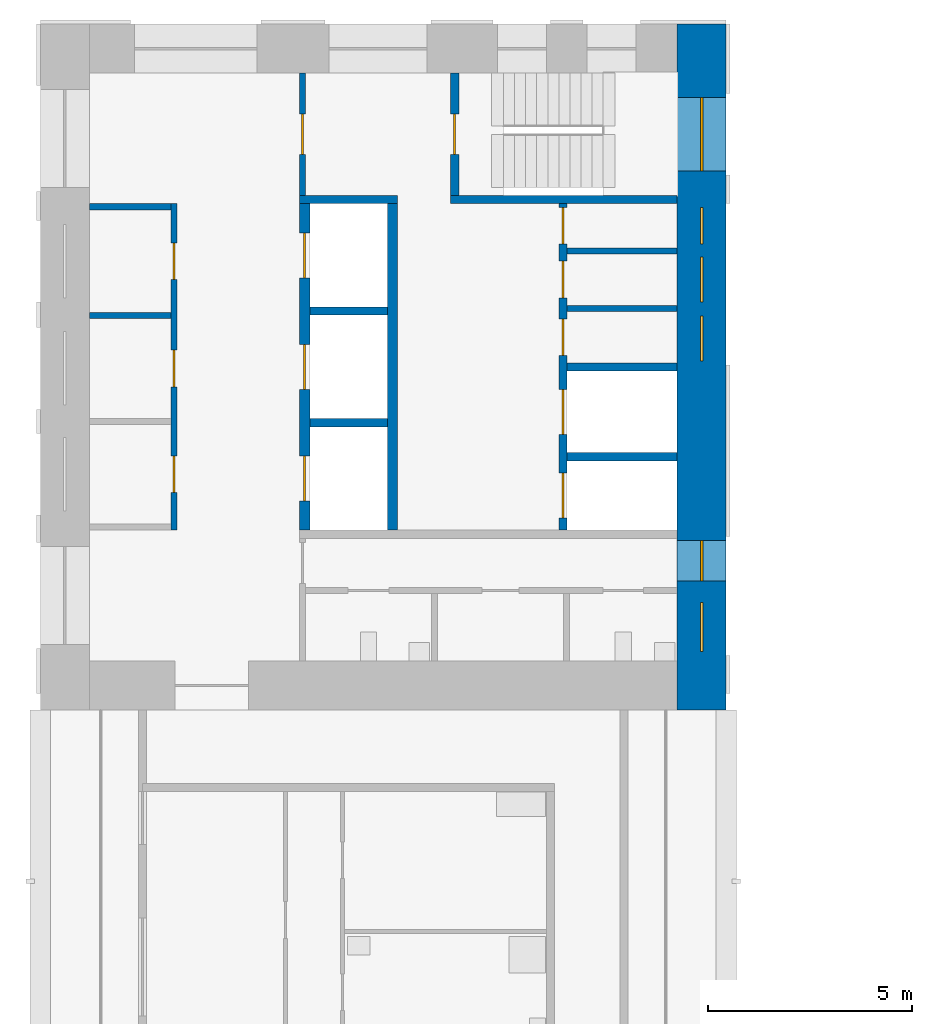
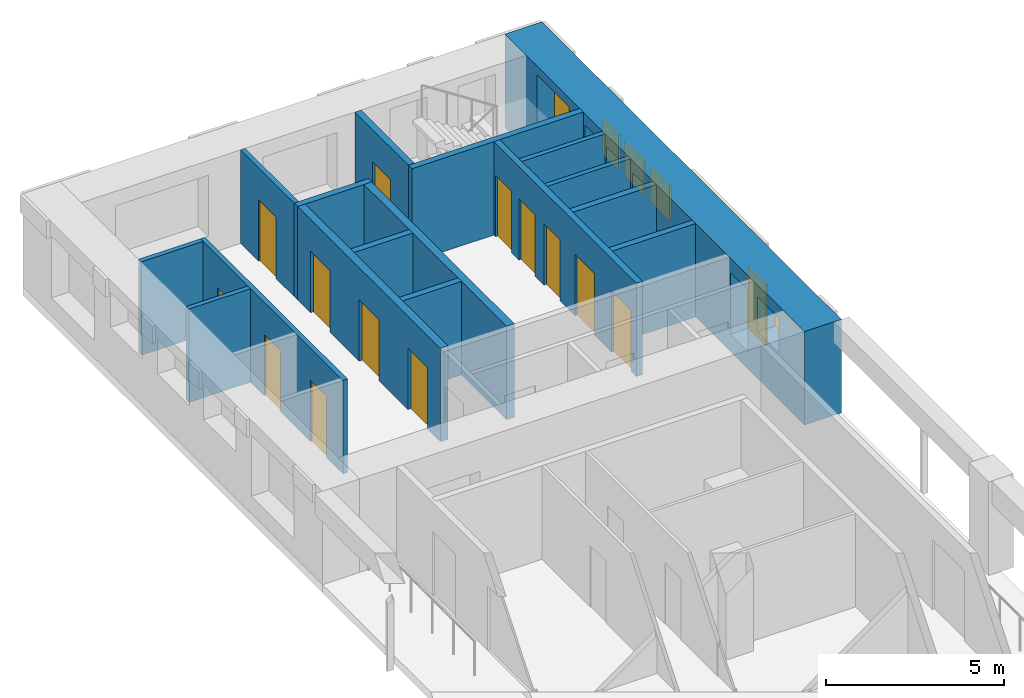
# One storey, part 6 of 10: 17 walls, 13 doors, 6 windows, 19 openings.
"""IFC4 building model written with IfcOpenShell, lengths in metres."""

from ifc_helpers import new_model, si_unit, direction, frame, frame_2d, origin, place, context, subcontext, project, spatial, rectangle, extrude, material, layer, layer_set, type_object, element, fill, save


model = new_model("IFC4")

# Units and contexts
model_context = context("Model", 3, precision=1e-05, world=origin(), true_north=direction((0.0, 1.0)))
body_context = subcontext(model_context, "Body", "Model", "MODEL_VIEW")
ifc_project = project(units=[si_unit("LENGTHUNIT", "METRE"), si_unit("AREAUNIT", "SQUARE_METRE"), si_unit("VOLUMEUNIT", "CUBIC_METRE"), si_unit("PLANEANGLEUNIT", "RADIAN"), si_unit("MASSUNIT", "GRAM", prefix="KILO")], contexts=[model_context])

# Site, building, storey
site_placement = place(None, origin())
site = spatial("IfcSite", under=ifc_project, at=site_placement, CompositionType="ELEMENT")
building_placement = place(site_placement, origin())
building = spatial("IfcBuilding", under=site, at=building_placement, Name="Vermilion Gate Residences", CompositionType="ELEMENT")
storey_placement = place(building_placement, frame((0.0, 0.0, 273.699951171875)))
storey = spatial("IfcBuildingStorey", under=building, at=storey_placement, Name="L72", CompositionType="ELEMENT", Elevation=273.699951171875)

# Walls
ifc_material_1 = material(Name="Masonry blockwork", Category="masonry")
ifc_layer_1 = layer(ifc_material_1, 0.14990234375)
ifc_layer_set_1 = layer_set([ifc_layer_1], Name="BLOCKWORK PARTITION 150 EI 120")
wall_type_1 = type_object("IfcWallType", Name="BLOCKWORK PARTITION 150 EI 120", PredefinedType="PARTITIONING", material=ifc_layer_set_1)
for number, where, z_axis, x_axis, name in (
    (1, (9.60009765625, 54.324951171875, 0.0), (0.0, 0.0, 1.0), (1.0, 0.0, 0.0), "Core room partition B72-RW-W"),
    (2, (9.60009765625, 51.658935546875, 0.0), (0.0, 0.0, 1.0), (1.0, 0.0, 0.0), "Core room partition B72-SR-P0"),
):
    element("IfcWall", number, at=place(storey_placement, frame(where, z_axis=z_axis, x_axis=x_axis)), inside=storey, type_object=wall_type_1, Name=name, PredefinedType="PARTITIONING", context=body_context, shape_type="SweptSolid", body=[
        extrude(rectangle(XDim=2.0, YDim=0.14990234375, at=frame_2d((1.0, 0.0))), origin(), (0.0, 0.0, 1.0), 3.199951171875),
    ])

# Wall, openings, doors
wall_1_placement = place(storey_placement, frame((11.675048828125, 54.39990234375, 0.0), z_axis=(0.0, 0.0, 1.0), x_axis=(0.0, -1.0, 0.0)))
wall_1 = element("IfcWall", 3, at=wall_1_placement, inside=storey, type_object=wall_type_1, Name="Core room partition B72-LR-F", PredefinedType="PARTITIONING", context=body_context, shape_type="SweptSolid", body=[
    extrude(rectangle(XDim=8.0, YDim=0.14990234375, at=frame_2d((4.0, 0.0))), origin(), (0.0, 0.0, 1.0), 3.199951171875),
])
opening_1_placement = place(wall_1_placement, frame((0.9580078125, 0.0, 0.0)))
opening_1 = element("IfcOpeningElement", 4, at=opening_1_placement, cuts=wall_1, Name="Opening DK72102", PredefinedType="OPENING", context=body_context, shape_type="SweptSolid", body=[
    extrude(rectangle(XDim=0.89990234375, YDim=2.10009765625, at=frame_2d((0.449951171875, 1.050048828125))), frame((0.0, 0.0849609375, 0.0), z_axis=(0.0, -1.0, 0.0), x_axis=(1.0, 0.0, 0.0)), (0.0, 0.0, 1.0), 0.169921875),
])
opening_2_placement = place(wall_1_placement, frame((3.5869140625, 0.0, 0.0)))
opening_2 = element("IfcOpeningElement", 5, at=opening_2_placement, cuts=wall_1, Name="Opening DK72103", PredefinedType="OPENING", context=body_context, shape_type="SweptSolid", body=[
    extrude(rectangle(XDim=0.89990234375, YDim=2.10009765625, at=frame_2d((0.449951171875, 1.050048828125))), frame((0.0, 0.0849609375, 0.0), z_axis=(0.0, -1.0, 0.0), x_axis=(1.0, 0.0, 0.0)), (0.0, 0.0, 1.0), 0.169921875),
])
opening_3_placement = place(wall_1_placement, frame((6.178955078125, 0.0, 0.0)))
opening_3 = element("IfcOpeningElement", 6, at=opening_3_placement, cuts=wall_1, Name="Opening DK72104", PredefinedType="OPENING", context=body_context, shape_type="SweptSolid", body=[
    extrude(rectangle(XDim=0.89990234375, YDim=2.10009765625, at=frame_2d((0.449951171875, 1.050048828125))), frame((0.0, 0.0849609375, 0.0), z_axis=(0.0, -1.0, 0.0), x_axis=(1.0, 0.0, 0.0)), (0.0, 0.0, 1.0), 0.169921875),
])
ifc_material_2 = material(Name="Steel", Category="steel")
door_type_1 = type_object("IfcDoorType", Name="SERVICE ROOM DOOR FD60 900 X 2100", OperationType="SINGLE_SWING_LEFT", PredefinedType="DOOR", material=ifc_material_2)
door_1_placement = place(opening_1_placement, frame((0.89990234375, 0.0, 0.0), z_axis=(0.0, 0.0, 1.0), x_axis=(-1.0, 0.0, 0.0)))
door_1 = element("IfcDoor", 7, at=door_1_placement, inside=storey, type_object=door_type_1, Name="Mail room B72", OperationType="SINGLE_SWING_RIGHT", OverallHeight=2.10009765625, OverallWidth=0.89990234375, PredefinedType="DOOR", context=body_context, shape_type="SweptSolid", body=[
    extrude(rectangle(XDim=0.89990234375, YDim=2.10009765625, at=frame_2d((0.449951171875, 1.050048828125))), frame((0.0, 0.02490234375, 0.0), z_axis=(0.0, -1.0, 0.0), x_axis=(1.0, 0.0, 0.0)), (0.0, 0.0, 1.0), 0.050048828125),
])
fill(opening_1, door_1)
door_2_placement = place(opening_2_placement, frame((0.89990234375, 0.0, 0.0), z_axis=(0.0, 0.0, 1.0), x_axis=(-1.0, 0.0, 0.0)))
door_2 = element("IfcDoor", 8, at=door_2_placement, inside=storey, type_object=door_type_1, Name="Cleaner's store B72", OperationType="SINGLE_SWING_LEFT", OverallHeight=2.10009765625, OverallWidth=0.89990234375, PredefinedType="DOOR", context=body_context, shape_type="SweptSolid", body=[
    extrude(rectangle(XDim=0.89990234375, YDim=2.10009765625, at=frame_2d((0.449951171875, 1.050048828125))), frame((0.0, 0.02490234375, 0.0), z_axis=(0.0, -1.0, 0.0), x_axis=(1.0, 0.0, 0.0)), (0.0, 0.0, 1.0), 0.050048828125),
])
fill(opening_2, door_2)
door_3_placement = place(opening_3_placement, origin())
door_3 = element("IfcDoor", 9, at=door_3_placement, inside=storey, type_object=door_type_1, Name="Electrical room B72", OperationType="SINGLE_SWING_LEFT", OverallHeight=2.10009765625, OverallWidth=0.89990234375, PredefinedType="DOOR", context=body_context, shape_type="SweptSolid", body=[
    extrude(rectangle(XDim=0.89990234375, YDim=2.10009765625, at=frame_2d((0.449951171875, 1.050048828125))), frame((0.0, 0.02490234375, 0.0), z_axis=(0.0, -1.0, 0.0), x_axis=(1.0, 0.0, 0.0)), (0.0, 0.0, 1.0), 0.050048828125),
])
fill(opening_3, door_3)

# Walls
for number, where, z_axis, x_axis, name in (
    (10, (21.300048828125, 53.2451171875, 0.0), (0.0, 0.0, 1.0), (1.0, 0.0, 0.0), "Core room partition B72-NR-P0"),
    (11, (21.300048828125, 51.8349609375, 0.0), (0.0, 0.0, 1.0), (1.0, 0.0, 0.0), "Core room partition B72-NR-P1"),
):
    element("IfcWall", number, at=place(storey_placement, frame(where, z_axis=z_axis, x_axis=x_axis)), inside=storey, type_object=wall_type_1, Name=name, PredefinedType="PARTITIONING", context=body_context, shape_type="SweptSolid", body=[
        extrude(rectangle(XDim=2.699951171875, YDim=0.14990234375, at=frame_2d((1.35009765625, 0.0))), origin(), (0.0, 0.0, 1.0), 3.199951171875),
    ])

# Wall, opening, door
wall_2_placement = place(storey_placement, frame((14.824951171875, 57.60009765625, 0.0), z_axis=(0.0, 0.0, 1.0), x_axis=(0.0, -1.0, 0.0)))
wall_2 = element("IfcWall", 12, at=wall_2_placement, inside=storey, type_object=wall_type_1, Name="Core room partition B72-VW-S", PredefinedType="PARTITIONING", context=body_context, shape_type="SweptSolid", body=[
    extrude(rectangle(XDim=3.0, YDim=0.14990234375, at=frame_2d((1.5, 0.0))), origin(), (0.0, 0.0, 1.0), 3.199951171875),
])
opening_4_placement = place(wall_2_placement, frame((1.0, 0.0, 0.0)))
opening_4 = element("IfcOpeningElement", 13, at=opening_4_placement, cuts=wall_2, Name="Opening DK72113", PredefinedType="OPENING", context=body_context, shape_type="SweptSolid", body=[
    extrude(rectangle(XDim=1.0, YDim=2.10009765625, at=frame_2d((0.5, 1.050048828125))), frame((0.0, 0.0849609375, 0.0), z_axis=(0.0, -1.0, 0.0), x_axis=(1.0, 0.0, 0.0)), (0.0, 0.0, 1.0), 0.169921875),
])
ifc_material_3 = material(Name="Steel", Category="steel")
door_type_2 = type_object("IfcDoorType", Name="FIRE DOOR FD60 1000 X 2100", OperationType="SINGLE_SWING_LEFT", PredefinedType="DOOR", material=ifc_material_3)
door_4_placement = place(opening_4_placement, frame((1.0, 0.0, 0.0), z_axis=(0.0, 0.0, 1.0), x_axis=(-1.0, 0.0, 0.0)))
door_4 = element("IfcDoor", 14, at=door_4_placement, inside=storey, type_object=door_type_2, Name="Stair vestibule door B72", OperationType="SINGLE_SWING_RIGHT", OverallHeight=2.10009765625, OverallWidth=1.0, PredefinedType="DOOR", context=body_context, shape_type="SweptSolid", body=[
    extrude(rectangle(XDim=1.0, YDim=2.10009765625, at=frame_2d((0.5, 1.050048828125))), frame((0.0, 0.02490234375, 0.0), z_axis=(0.0, -1.0, 0.0), x_axis=(1.0, 0.0, 0.0)), (0.0, 0.0, 1.0), 0.050048828125),
])
fill(opening_4, door_4)

# Walls
ifc_material_4 = material(Name="Concrete C60", Category="concrete")
ifc_layer_2 = layer(ifc_material_4, 0.199951171875)
ifc_layer_set_2 = layer_set([ifc_layer_2], Name="RC CORE INTERNAL WALL 200 C60")
wall_type_2 = type_object("IfcWallType", Name="RC CORE INTERNAL WALL 200 C60", PredefinedType="SHEAR", material=ifc_layer_set_2)
for number, where, z_axis, x_axis, name in (
    (15, (15.0, 51.7666015625, 0.0), (0.0, 0.0, 1.0), (1.0, 0.0, 0.0), "Core internal wall B72-HR-D1"),
    (16, (15.0, 49.033447265625, 0.0), (0.0, 0.0, 1.0), (1.0, 0.0, 0.0), "Core internal wall B72-HR-D2"),
):
    element("IfcWall", number, at=place(storey_placement, frame(where, z_axis=z_axis, x_axis=x_axis)), inside=storey, type_object=wall_type_2, Name=name, PredefinedType="SHEAR", context=body_context, shape_type="SweptSolid", body=[
        extrude(rectangle(XDim=1.89990234375, YDim=0.199951171875, at=frame_2d((0.949951171875, 0.0))), origin(), (0.0, 0.0, 1.0), 3.199951171875),
    ])
for number, where, z_axis, x_axis, name in (
    (17, (21.300048828125, 50.39990234375, 0.0), (0.0, 0.0, 1.0), (1.0, 0.0, 0.0), "Core internal wall B72-FF-D0"),
    (18, (21.300048828125, 48.199951171875, 0.0), (0.0, 0.0, 1.0), (1.0, 0.0, 0.0), "Core internal wall B72-FF-D1"),
):
    element("IfcWall", number, at=place(storey_placement, frame(where, z_axis=z_axis, x_axis=x_axis)), inside=storey, type_object=wall_type_2, Name=name, PredefinedType="SHEAR", context=body_context, shape_type="SweptSolid", body=[
        extrude(rectangle(XDim=2.699951171875, YDim=0.199951171875, at=frame_2d((1.35009765625, 0.0))), origin(), (0.0, 0.0, 1.0), 3.199951171875),
    ])

# Wall, openings, doors
wall_3_placement = place(storey_placement, frame((21.199951171875, 54.39990234375, 0.0), z_axis=(0.0, 0.0, 1.0), x_axis=(0.0, -1.0, 0.0)))
wall_3 = element("IfcWall", 19, at=wall_3_placement, inside=storey, type_object=wall_type_2, Name="Core internal wall B72-FF-F", PredefinedType="SHEAR", context=body_context, shape_type="SweptSolid", body=[
    extrude(rectangle(XDim=8.0, YDim=0.199951171875, at=frame_2d((4.0, 0.0))), origin(), (0.0, 0.0, 1.0), 3.199951171875),
])
opening_5_placement = place(wall_3_placement, frame((0.090087890625, 0.0, 0.0)))
opening_5 = element("IfcOpeningElement", 20, at=opening_5_placement, cuts=wall_3, Name="Opening DK72108", PredefinedType="OPENING", context=body_context, shape_type="SweptSolid", body=[
    extrude(rectangle(XDim=0.89990234375, YDim=2.10009765625, at=frame_2d((0.449951171875, 1.050048828125))), frame((0.0, 0.10986328125, 0.0), z_axis=(0.0, -1.0, 0.0), x_axis=(1.0, 0.0, 0.0)), (0.0, 0.0, 1.0), 0.219970703125),
])
opening_6_placement = place(wall_3_placement, frame((1.409912109375, 0.0, 0.0)))
opening_6 = element("IfcOpeningElement", 21, at=opening_6_placement, cuts=wall_3, Name="Opening DK72109", PredefinedType="OPENING", context=body_context, shape_type="SweptSolid", body=[
    extrude(rectangle(XDim=0.89990234375, YDim=2.10009765625, at=frame_2d((0.449951171875, 1.050048828125))), frame((0.0, 0.10986328125, 0.0), z_axis=(0.0, -1.0, 0.0), x_axis=(1.0, 0.0, 0.0)), (0.0, 0.0, 1.0), 0.219970703125),
])
opening_7_placement = place(wall_3_placement, frame((2.820068359375, 0.0, 0.0)))
opening_7 = element("IfcOpeningElement", 22, at=opening_7_placement, cuts=wall_3, Name="Opening DK72110", PredefinedType="OPENING", context=body_context, shape_type="SweptSolid", body=[
    extrude(rectangle(XDim=0.89990234375, YDim=2.10009765625, at=frame_2d((0.449951171875, 1.050048828125))), frame((0.0, 0.10986328125, 0.0), z_axis=(0.0, -1.0, 0.0), x_axis=(1.0, 0.0, 0.0)), (0.0, 0.0, 1.0), 0.219970703125),
])
opening_8_placement = place(wall_3_placement, frame((4.550048828125, 0.0, 0.0)))
opening_8 = element("IfcOpeningElement", 23, at=opening_8_placement, cuts=wall_3, Name="Opening LD", PredefinedType="OPENING", context=body_context, shape_type="SweptSolid", body=[
    extrude(rectangle(XDim=1.10009765625, YDim=2.10009765625, at=frame_2d((0.550048828125, 1.050048828125))), frame((0.0, 0.10986328125, 0.0), z_axis=(0.0, -1.0, 0.0), x_axis=(1.0, 0.0, 0.0)), (0.0, 0.0, 1.0), 0.219970703125),
])
opening_9_placement = place(wall_3_placement, frame((6.60009765625, 0.0, 0.0)))
opening_9 = element("IfcOpeningElement", 24, at=opening_9_placement, cuts=wall_3, Name="Opening LD", PredefinedType="OPENING", context=body_context, shape_type="SweptSolid", body=[
    extrude(rectangle(XDim=1.10009765625, YDim=2.10009765625, at=frame_2d((0.550048828125, 1.050048828125))), frame((0.0, 0.10986328125, 0.0), z_axis=(0.0, -1.0, 0.0), x_axis=(1.0, 0.0, 0.0)), (0.0, 0.0, 1.0), 0.219970703125),
])
ifc_material_5 = material(Name="Stainless steel", Category="steel")
door_type_3 = type_object("IfcDoorType", Name="LIFT LANDING DOOR E60 1100 X 2100", OperationType="DOUBLE_DOOR_SLIDING", PredefinedType="DOOR", material=ifc_material_5)
door_5_placement = place(opening_8_placement, origin())
door_5 = element("IfcDoor", 25, at=door_5_placement, inside=storey, type_object=door_type_3, Name="Lift landing door LFB1", OperationType="DOUBLE_DOOR_SLIDING", OverallHeight=2.10009765625, OverallWidth=1.10009765625, PredefinedType="DOOR", context=body_context, shape_type="SweptSolid", body=[
    extrude(rectangle(XDim=1.10009765625, YDim=2.10009765625, at=frame_2d((0.550048828125, 1.050048828125))), frame((0.0, 0.02490234375, 0.0), z_axis=(0.0, -1.0, 0.0), x_axis=(1.0, 0.0, 0.0)), (0.0, 0.0, 1.0), 0.050048828125),
])
fill(opening_8, door_5)
door_6_placement = place(opening_9_placement, origin())
door_6 = element("IfcDoor", 26, at=door_6_placement, inside=storey, type_object=door_type_3, Name="Lift landing door LCB1", OperationType="DOUBLE_DOOR_SLIDING", OverallHeight=2.10009765625, OverallWidth=1.10009765625, PredefinedType="DOOR", context=body_context, shape_type="SweptSolid", body=[
    extrude(rectangle(XDim=1.10009765625, YDim=2.10009765625, at=frame_2d((0.550048828125, 1.050048828125))), frame((0.0, 0.02490234375, 0.0), z_axis=(0.0, -1.0, 0.0), x_axis=(1.0, 0.0, 0.0)), (0.0, 0.0, 1.0), 0.050048828125),
])
fill(opening_9, door_6)
door_7_placement = place(opening_5_placement, origin())
door_7 = element("IfcDoor", 27, at=door_7_placement, inside=storey, type_object=door_type_1, Name="Housekeeping store B72", OperationType="SINGLE_SWING_RIGHT", OverallHeight=2.10009765625, OverallWidth=0.89990234375, PredefinedType="DOOR", context=body_context, shape_type="SweptSolid", body=[
    extrude(rectangle(XDim=0.89990234375, YDim=2.10009765625, at=frame_2d((0.449951171875, 1.050048828125))), frame((0.0, 0.02490234375, 0.0), z_axis=(0.0, -1.0, 0.0), x_axis=(1.0, 0.0, 0.0)), (0.0, 0.0, 1.0), 0.050048828125),
])
fill(opening_5, door_7)
door_8_placement = place(opening_6_placement, origin())
door_8 = element("IfcDoor", 28, at=door_8_placement, inside=storey, type_object=door_type_1, Name="Mail room B72", OperationType="SINGLE_SWING_LEFT", OverallHeight=2.10009765625, OverallWidth=0.89990234375, PredefinedType="DOOR", context=body_context, shape_type="SweptSolid", body=[
    extrude(rectangle(XDim=0.89990234375, YDim=2.10009765625, at=frame_2d((0.449951171875, 1.050048828125))), frame((0.0, 0.02490234375, 0.0), z_axis=(0.0, -1.0, 0.0), x_axis=(1.0, 0.0, 0.0)), (0.0, 0.0, 1.0), 0.050048828125),
])
fill(opening_6, door_8)
door_9_placement = place(opening_7_placement, origin())
door_9 = element("IfcDoor", 29, at=door_9_placement, inside=storey, type_object=door_type_1, Name="Electrical riser B72", OperationType="SINGLE_SWING_LEFT", OverallHeight=2.10009765625, OverallWidth=0.89990234375, PredefinedType="DOOR", context=body_context, shape_type="SweptSolid", body=[
    extrude(rectangle(XDim=0.89990234375, YDim=2.10009765625, at=frame_2d((0.449951171875, 1.050048828125))), frame((0.0, 0.02490234375, 0.0), z_axis=(0.0, -1.0, 0.0), x_axis=(1.0, 0.0, 0.0)), (0.0, 0.0, 1.0), 0.050048828125),
])
fill(opening_7, door_9)

# Walls
wall_4_placement = place(storey_placement, frame((14.75, 54.5, 0.0), z_axis=(0.0, 0.0, 1.0), x_axis=(1.0, 0.0, 0.0)))
element("IfcWall", 30, at=wall_4_placement, inside=storey, type_object=wall_type_2, Name="Core internal wall B72-WDIV1", PredefinedType="SHEAR", context=body_context, shape_type="SweptSolid", body=[
    extrude(rectangle(XDim=2.39990234375, YDim=0.199951171875, at=frame_2d((1.199951171875, 0.0))), origin(), (0.0, 0.0, 1.0), 3.199951171875),
])
wall_5_placement = place(storey_placement, frame((18.449951171875, 54.5, 0.0), z_axis=(0.0, 0.0, 1.0), x_axis=(1.0, 0.0, 0.0)))
element("IfcWall", 31, at=wall_5_placement, inside=storey, type_object=wall_type_2, Name="Core internal wall B72-WDIV2", PredefinedType="SHEAR", context=body_context, shape_type="SweptSolid", body=[
    extrude(rectangle(XDim=5.550048828125, YDim=0.199951171875, at=frame_2d((2.77490234375, 0.0))), origin(), (0.0, 0.0, 1.0), 3.199951171875),
])

# Wall, opening, door
wall_6_placement = place(storey_placement, frame((18.550048828125, 57.60009765625, 0.0), z_axis=(0.0, 0.0, 1.0), x_axis=(0.0, -1.0, 0.0)))
wall_6 = element("IfcWall", 32, at=wall_6_placement, inside=storey, type_object=wall_type_2, Name="Core internal wall B72-STW-S", PredefinedType="SHEAR", context=body_context, shape_type="SweptSolid", body=[
    extrude(rectangle(XDim=3.0, YDim=0.199951171875, at=frame_2d((1.5, 0.0))), origin(), (0.0, 0.0, 1.0), 3.199951171875),
])
opening_10_placement = place(wall_6_placement, frame((1.0, 0.0, 0.0)))
opening_10 = element("IfcOpeningElement", 33, at=opening_10_placement, cuts=wall_6, Name="Opening DK72114", PredefinedType="OPENING", context=body_context, shape_type="SweptSolid", body=[
    extrude(rectangle(XDim=1.0, YDim=2.10009765625, at=frame_2d((0.5, 1.050048828125))), frame((0.0, 0.10986328125, 0.0), z_axis=(0.0, -1.0, 0.0), x_axis=(1.0, 0.0, 0.0)), (0.0, 0.0, 1.0), 0.219970703125),
])
door_10_placement = place(opening_10_placement, origin())
door_10 = element("IfcDoor", 34, at=door_10_placement, inside=storey, type_object=door_type_2, Name="Stair door B72", OperationType="SINGLE_SWING_LEFT", OverallHeight=2.10009765625, OverallWidth=1.0, PredefinedType="DOOR", context=body_context, shape_type="SweptSolid", body=[
    extrude(rectangle(XDim=1.0, YDim=2.10009765625, at=frame_2d((0.5, 1.050048828125))), frame((0.0, 0.02490234375, 0.0), z_axis=(0.0, -1.0, 0.0), x_axis=(1.0, 0.0, 0.0)), (0.0, 0.0, 1.0), 0.050048828125),
])
fill(opening_10, door_10)

# Wall, openings, windows
ifc_material_6 = material(Name="Concrete C50 red-oxide pigmented", Category="concrete")
ifc_layer_3 = layer(ifc_material_6, 1.199951171875)
ifc_layer_set_3 = layer_set([ifc_layer_3], Name="RC CORE WALL 1200 C50 RED OXIDE")
wall_type_3 = type_object("IfcWallType", Name="RC CORE WALL 1200 C50 RED OXIDE", PredefinedType="SHEAR", material=ifc_layer_set_3)
wall_7_placement = place(storey_placement, frame((24.60009765625, 58.800048828125, 0.0), z_axis=(0.0, 0.0, 1.0), x_axis=(0.0, -1.0, 0.0)))
wall_7 = element("IfcWall", 35, at=wall_7_placement, inside=storey, type_object=wall_type_3, Name="Core wall B72-OUT-B1", PredefinedType="SHEAR", context=body_context, shape_type="SweptSolid", body=[
    extrude(rectangle(XDim=16.800048828125, YDim=1.199951171875, at=frame_2d((8.39990234375, 0.0))), origin(), (0.0, 0.0, 1.0), 3.199951171875),
])
opening_11_placement = place(wall_7_placement, frame((1.800048828125, 0.0, 0.5)))
opening_11 = element("IfcOpeningElement", 36, at=opening_11_placement, cuts=wall_7, Name="Opening WKB7206", PredefinedType="OPENING", context=body_context, shape_type="SweptSolid", body=[
    extrude(rectangle(XDim=1.800048828125, YDim=2.39990234375, at=frame_2d((0.89990234375, 1.199951171875))), frame((0.0, 0.60986328125, 0.0), z_axis=(0.0, -1.0, 0.0), x_axis=(1.0, 0.0, 0.0)), (0.0, 0.0, 1.0), 1.219970703125),
])
opening_12_placement = place(wall_7_placement, frame((4.489990234375, 0.0, 1.60009765625)))
opening_12 = element("IfcOpeningElement", 37, at=opening_12_placement, cuts=wall_7, Name="Opening WKB7207", PredefinedType="OPENING", context=body_context, shape_type="SweptSolid", body=[
    extrude(rectangle(XDim=0.89990234375, YDim=1.199951171875, at=frame_2d((0.449951171875, 0.60009765625))), frame((0.0, 0.60986328125, 0.0), z_axis=(0.0, -1.0, 0.0), x_axis=(1.0, 0.0, 0.0)), (0.0, 0.0, 1.0), 1.219970703125),
])
opening_13_placement = place(wall_7_placement, frame((5.7099609375, 0.0, 1.60009765625)))
opening_13 = element("IfcOpeningElement", 38, at=opening_13_placement, cuts=wall_7, Name="Opening WKB7208", PredefinedType="OPENING", context=body_context, shape_type="SweptSolid", body=[
    extrude(rectangle(XDim=1.10009765625, YDim=1.199951171875, at=frame_2d((0.550048828125, 0.60009765625))), frame((0.0, 0.60986328125, 0.0), z_axis=(0.0, -1.0, 0.0), x_axis=(1.0, 0.0, 0.0)), (0.0, 0.0, 1.0), 1.219970703125),
])
opening_14_placement = place(wall_7_placement, frame((7.14990234375, 0.0, 1.60009765625)))
opening_14 = element("IfcOpeningElement", 39, at=opening_14_placement, cuts=wall_7, Name="Opening WKB7209", PredefinedType="OPENING", context=body_context, shape_type="SweptSolid", body=[
    extrude(rectangle(XDim=1.10009765625, YDim=1.199951171875, at=frame_2d((0.550048828125, 0.60009765625))), frame((0.0, 0.60986328125, 0.0), z_axis=(0.0, -1.0, 0.0), x_axis=(1.0, 0.0, 0.0)), (0.0, 0.0, 1.0), 1.219970703125),
])
opening_15_placement = place(wall_7_placement, frame((12.64990234375, 0.0, 0.60009765625)))
opening_15 = element("IfcOpeningElement", 40, at=opening_15_placement, cuts=wall_7, Name="Opening WKB7210", PredefinedType="OPENING", context=body_context, shape_type="SweptSolid", body=[
    extrude(rectangle(XDim=1.0, YDim=2.10009765625, at=frame_2d((0.5, 1.050048828125))), frame((0.0, 0.60986328125, 0.0), z_axis=(0.0, -1.0, 0.0), x_axis=(1.0, 0.0, 0.0)), (0.0, 0.0, 1.0), 1.219970703125),
])
opening_16_placement = place(wall_7_placement, frame((14.175048828125, 0.0, 1.60009765625)))
opening_16 = element("IfcOpeningElement", 41, at=opening_16_placement, cuts=wall_7, Name="Opening WKB7211", PredefinedType="OPENING", context=body_context, shape_type="SweptSolid", body=[
    extrude(rectangle(XDim=1.199951171875, YDim=1.199951171875, at=frame_2d((0.60009765625, 0.60009765625))), frame((0.0, 0.60986328125, 0.0), z_axis=(0.0, -1.0, 0.0), x_axis=(1.0, 0.0, 0.0)), (0.0, 0.0, 1.0), 1.219970703125),
])
ifc_material_7 = material(Name="Aluminium and clear glass", Category="aluminium")
window_type_1 = type_object("IfcWindowType", Name="CORE CORRIDOR WINDOW 1000 X 2100", PartitioningType="SINGLE_PANEL", PredefinedType="WINDOW", material=ifc_material_7)
window_1_placement = place(opening_15_placement, origin())
window_1 = element("IfcWindow", 42, at=window_1_placement, inside=storey, type_object=window_type_1, Name="Core corridor window", OverallHeight=2.10009765625, OverallWidth=1.0, PartitioningType="SINGLE_PANEL", PredefinedType="WINDOW", context=body_context, shape_type="SweptSolid", body=[
    extrude(rectangle(XDim=1.0, YDim=2.10009765625, at=frame_2d((0.5, 1.050048828125))), frame((0.0, 0.030029296875, 0.0), z_axis=(0.0, -1.0, 0.0), x_axis=(1.0, 0.0, 0.0)), (0.0, 0.0, 1.0), 0.06005859375),
])
fill(opening_15, window_1)
ifc_material_8 = material(Name="Aluminium frame with louvre blades", Category="aluminium")
window_type_2 = type_object("IfcWindowType", Name="CORE LOUVRE 1100 X 1200", PartitioningType="SINGLE_PANEL", PredefinedType="WINDOW", material=ifc_material_8)
window_2_placement = place(opening_13_placement, origin())
window_2 = element("IfcWindow", 43, at=window_2_placement, inside=storey, type_object=window_type_2, Name="Core louvre", OverallHeight=1.199951171875, OverallWidth=1.10009765625, PartitioningType="SINGLE_PANEL", PredefinedType="WINDOW", context=body_context, shape_type="SweptSolid", body=[
    extrude(rectangle(XDim=1.10009765625, YDim=1.199951171875, at=frame_2d((0.550048828125, 0.60009765625))), frame((0.0, 0.030029296875, 0.0), z_axis=(0.0, -1.0, 0.0), x_axis=(1.0, 0.0, 0.0)), (0.0, 0.0, 1.0), 0.06005859375),
])
fill(opening_13, window_2)
window_3_placement = place(opening_14_placement, origin())
window_3 = element("IfcWindow", 44, at=window_3_placement, inside=storey, type_object=window_type_2, Name="Core louvre", OverallHeight=1.199951171875, OverallWidth=1.10009765625, PartitioningType="SINGLE_PANEL", PredefinedType="WINDOW", context=body_context, shape_type="SweptSolid", body=[
    extrude(rectangle(XDim=1.10009765625, YDim=1.199951171875, at=frame_2d((0.550048828125, 0.60009765625))), frame((0.0, 0.030029296875, 0.0), z_axis=(0.0, -1.0, 0.0), x_axis=(1.0, 0.0, 0.0)), (0.0, 0.0, 1.0), 0.06005859375),
])
fill(opening_14, window_3)
ifc_material_9 = material(Name="Aluminium frame with louvre blades", Category="aluminium")
window_type_3 = type_object("IfcWindowType", Name="CORE LOUVRE 1200 X 1200", PartitioningType="SINGLE_PANEL", PredefinedType="WINDOW", material=ifc_material_9)
window_4_placement = place(opening_16_placement, origin())
window_4 = element("IfcWindow", 45, at=window_4_placement, inside=storey, type_object=window_type_3, Name="Core louvre", OverallHeight=1.199951171875, OverallWidth=1.199951171875, PartitioningType="SINGLE_PANEL", PredefinedType="WINDOW", context=body_context, shape_type="SweptSolid", body=[
    extrude(rectangle(XDim=1.199951171875, YDim=1.199951171875, at=frame_2d((0.60009765625, 0.60009765625))), frame((0.0, 0.030029296875, 0.0), z_axis=(0.0, -1.0, 0.0), x_axis=(1.0, 0.0, 0.0)), (0.0, 0.0, 1.0), 0.06005859375),
])
fill(opening_16, window_4)
ifc_material_10 = material(Name="Aluminium frame with louvre blades", Category="aluminium")
window_type_4 = type_object("IfcWindowType", Name="CORE LOUVRE 900 X 1200", PartitioningType="SINGLE_PANEL", PredefinedType="WINDOW", material=ifc_material_10)
window_5_placement = place(opening_12_placement, origin())
window_5 = element("IfcWindow", 46, at=window_5_placement, inside=storey, type_object=window_type_4, Name="Core louvre", OverallHeight=1.199951171875, OverallWidth=0.89990234375, PartitioningType="SINGLE_PANEL", PredefinedType="WINDOW", context=body_context, shape_type="SweptSolid", body=[
    extrude(rectangle(XDim=0.89990234375, YDim=1.199951171875, at=frame_2d((0.449951171875, 0.60009765625))), frame((0.0, 0.030029296875, 0.0), z_axis=(0.0, -1.0, 0.0), x_axis=(1.0, 0.0, 0.0)), (0.0, 0.0, 1.0), 0.06005859375),
])
fill(opening_12, window_5)
ifc_material_11 = material(Name="Aluminium and clear glass", Category="aluminium")
window_type_5 = type_object("IfcWindowType", Name="CORE STAIR WINDOW 1800 X 2400", PartitioningType="SINGLE_PANEL", PredefinedType="WINDOW", material=ifc_material_11)
window_6_placement = place(opening_11_placement, origin())
window_6 = element("IfcWindow", 47, at=window_6_placement, inside=storey, type_object=window_type_5, Name="Core stair window", OverallHeight=2.39990234375, OverallWidth=1.800048828125, PartitioningType="SINGLE_PANEL", PredefinedType="WINDOW", context=body_context, shape_type="SweptSolid", body=[
    extrude(rectangle(XDim=1.800048828125, YDim=2.39990234375, at=frame_2d((0.89990234375, 1.199951171875))), frame((0.0, 0.030029296875, 0.0), z_axis=(0.0, -1.0, 0.0), x_axis=(1.0, 0.0, 0.0)), (0.0, 0.0, 1.0), 0.06005859375),
])
fill(opening_11, window_6)

# Wall, openings, doors
ifc_material_12 = material(Name="Concrete C60", Category="concrete")
ifc_layer_4 = layer(ifc_material_12, 0.25)
ifc_layer_set_4 = layer_set([ifc_layer_4], Name="RC LIFT SHAFT WALL 250 C60")
wall_type_4 = type_object("IfcWallType", Name="RC LIFT SHAFT WALL 250 C60", PredefinedType="SHEAR", material=ifc_layer_set_4)
wall_8_placement = place(storey_placement, frame((14.875, 54.39990234375, 0.0), z_axis=(0.0, 0.0, 1.0), x_axis=(0.0, -1.0, 0.0)))
wall_8 = element("IfcWall", 48, at=wall_8_placement, inside=storey, type_object=wall_type_4, Name="Lift shaft wall B72-HR-F", PredefinedType="SHEAR", context=body_context, shape_type="SweptSolid", body=[
    extrude(rectangle(XDim=8.0, YDim=0.25, at=frame_2d((4.0, 0.0))), origin(), (0.0, 0.0, 1.0), 3.199951171875),
])
opening_17_placement = place(wall_8_placement, frame((0.716552734375, 0.0, 0.0)))
opening_17 = element("IfcOpeningElement", 49, at=opening_17_placement, cuts=wall_8, Name="Opening LD", PredefinedType="OPENING", context=body_context, shape_type="SweptSolid", body=[
    extrude(rectangle(XDim=1.10009765625, YDim=2.10009765625, at=frame_2d((0.550048828125, 1.050048828125))), frame((0.0, 0.135009765625, 0.0), z_axis=(0.0, -1.0, 0.0), x_axis=(1.0, 0.0, 0.0)), (0.0, 0.0, 1.0), 0.27001953125),
])
opening_18_placement = place(wall_8_placement, frame((3.449951171875, 0.0, 0.0)))
opening_18 = element("IfcOpeningElement", 50, at=opening_18_placement, cuts=wall_8, Name="Opening LD", PredefinedType="OPENING", context=body_context, shape_type="SweptSolid", body=[
    extrude(rectangle(XDim=1.10009765625, YDim=2.10009765625, at=frame_2d((0.550048828125, 1.050048828125))), frame((0.0, 0.135009765625, 0.0), z_axis=(0.0, -1.0, 0.0), x_axis=(1.0, 0.0, 0.0)), (0.0, 0.0, 1.0), 0.27001953125),
])
opening_19_placement = place(wall_8_placement, frame((6.183349609375, 0.0, 0.0)))
opening_19 = element("IfcOpeningElement", 51, at=opening_19_placement, cuts=wall_8, Name="Opening LD", PredefinedType="OPENING", context=body_context, shape_type="SweptSolid", body=[
    extrude(rectangle(XDim=1.10009765625, YDim=2.10009765625, at=frame_2d((0.550048828125, 1.050048828125))), frame((0.0, 0.135009765625, 0.0), z_axis=(0.0, -1.0, 0.0), x_axis=(1.0, 0.0, 0.0)), (0.0, 0.0, 1.0), 0.27001953125),
])
door_11_placement = place(opening_17_placement, origin())
door_11 = element("IfcDoor", 52, at=door_11_placement, inside=storey, type_object=door_type_3, Name="Lift landing door HRB1", OperationType="DOUBLE_DOOR_SLIDING", OverallHeight=2.10009765625, OverallWidth=1.10009765625, PredefinedType="DOOR", context=body_context, shape_type="SweptSolid", body=[
    extrude(rectangle(XDim=1.10009765625, YDim=2.10009765625, at=frame_2d((0.550048828125, 1.050048828125))), frame((0.0, 0.02490234375, 0.0), z_axis=(0.0, -1.0, 0.0), x_axis=(1.0, 0.0, 0.0)), (0.0, 0.0, 1.0), 0.050048828125),
])
fill(opening_17, door_11)
door_12_placement = place(opening_18_placement, origin())
door_12 = element("IfcDoor", 53, at=door_12_placement, inside=storey, type_object=door_type_3, Name="Lift landing door HRB2", OperationType="DOUBLE_DOOR_SLIDING", OverallHeight=2.10009765625, OverallWidth=1.10009765625, PredefinedType="DOOR", context=body_context, shape_type="SweptSolid", body=[
    extrude(rectangle(XDim=1.10009765625, YDim=2.10009765625, at=frame_2d((0.550048828125, 1.050048828125))), frame((0.0, 0.02490234375, 0.0), z_axis=(0.0, -1.0, 0.0), x_axis=(1.0, 0.0, 0.0)), (0.0, 0.0, 1.0), 0.050048828125),
])
fill(opening_18, door_12)
door_13_placement = place(opening_19_placement, origin())
door_13 = element("IfcDoor", 54, at=door_13_placement, inside=storey, type_object=door_type_3, Name="Lift landing door HRB3", OperationType="DOUBLE_DOOR_SLIDING", OverallHeight=2.10009765625, OverallWidth=1.10009765625, PredefinedType="DOOR", context=body_context, shape_type="SweptSolid", body=[
    extrude(rectangle(XDim=1.10009765625, YDim=2.10009765625, at=frame_2d((0.550048828125, 1.050048828125))), frame((0.0, 0.02490234375, 0.0), z_axis=(0.0, -1.0, 0.0), x_axis=(1.0, 0.0, 0.0)), (0.0, 0.0, 1.0), 0.050048828125),
])
fill(opening_19, door_13)

# Wall
wall_9_placement = place(storey_placement, frame((17.02490234375, 54.39990234375, 0.0), z_axis=(0.0, 0.0, 1.0), x_axis=(0.0, -1.0, 0.0)))
element("IfcWall", 55, at=wall_9_placement, inside=storey, type_object=wall_type_4, Name="Lift shaft wall B72-HR-B", PredefinedType="SHEAR", context=body_context, shape_type="SweptSolid", body=[
    extrude(rectangle(XDim=8.0, YDim=0.25, at=frame_2d((4.0, 0.0))), origin(), (0.0, 0.0, 1.0), 3.199951171875),
])

save(model, "model.ifc")
